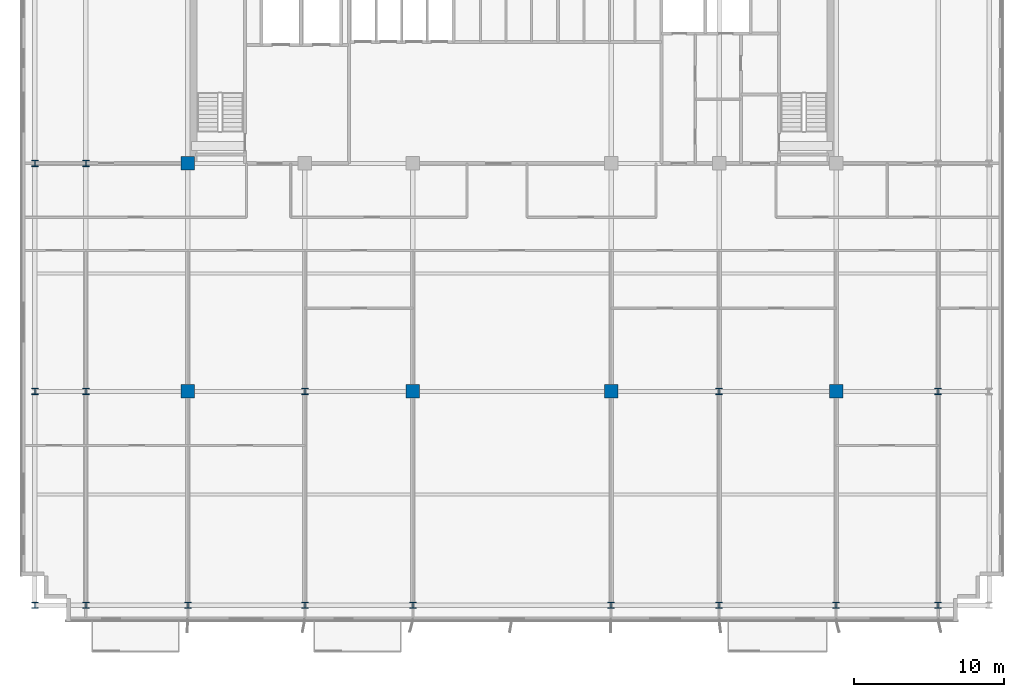
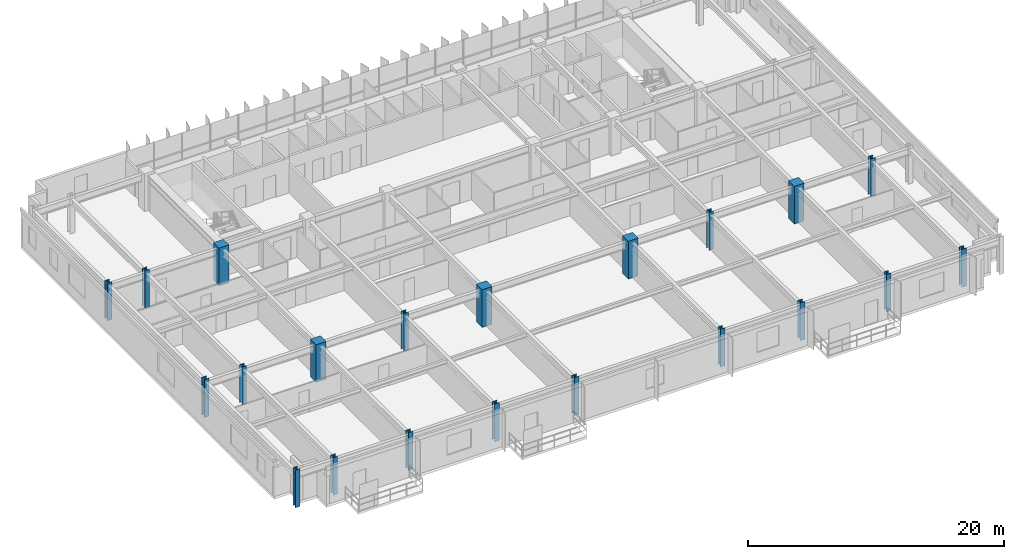
# One storey, part 1 of 21: 21 columns.
"""IFC4 building model written with IfcOpenShell, lengths in metres."""

from ifc_helpers import new_model, si_unit, direction, frame, origin, origin_2d, place, context, subcontext, project, spatial, rectangle, i_section, extrude, source, transform, mapped, material, material_profile, profile_set, type_object, element, save


model = new_model("IFC4")

# Units and contexts
model_context = context("Model", 3, precision=1e-05, world=origin(), true_north=direction((0.0, 1.0)))
body_context = subcontext(model_context, "Body", "Model", "MODEL_VIEW")
ifc_project = project(units=[si_unit("LENGTHUNIT", "METRE"), si_unit("AREAUNIT", "SQUARE_METRE"), si_unit("VOLUMEUNIT", "CUBIC_METRE"), si_unit("PLANEANGLEUNIT", "RADIAN"), si_unit("MASSUNIT", "GRAM", prefix="KILO")], contexts=[model_context])

# Site, building, storey
site_placement = place(None, origin())
site = spatial("IfcSite", under=ifc_project, at=site_placement, CompositionType="ELEMENT")
building_placement = place(site_placement, origin())
building = spatial("IfcBuilding", under=site, at=building_placement, Name="Trelvane Seafront Commons", CompositionType="ELEMENT")
storey_placement = place(building_placement, frame((0.0, 0.0, 41.5)))
storey = spatial("IfcBuildingStorey", under=building, at=storey_placement, Name="L10", CompositionType="ELEMENT", Elevation=41.5)

# Columns
ifc_material_1 = material(Name="Steel SM355 (S355)", Category="steel")
ifc_material_profile_1 = material_profile(ifc_material_1, i_section(OverallWidth=0.419921875, OverallDepth=0.419921875, WebThickness=0.02587890625, FlangeThickness=0.0400390625, at=origin_2d()), Name="HD-420x420x26x40")
ifc_profile_set_1 = profile_set([ifc_material_profile_1], Name="Steel SM355 (S355)")
column_type_1 = type_object("IfcColumnType", Name="STR-COL-HD420", PredefinedType="COLUMN", material=ifc_profile_set_1)
shared_shape_1 = source(origin(), body_context, "Body", "SweptSolid", [
    extrude(i_section(OverallWidth=0.419921875, OverallDepth=0.419921875, WebThickness=0.02587890625, FlangeThickness=0.0400390625, at=origin_2d()), origin(), (0.0, 0.0, 1.0), 3.60009765625),
])
for number, where, z_axis, x_axis, name in (
    (1, (5.39990234375, 3.949951171875, 0.0), (0.0, 0.0, 1.0), (1.0, 0.0, 0.0), "L10 Column TC-S5.4"),
    (2, (5.39990234375, 18.199951171875, 0.0), (0.0, 0.0, 1.0), (1.0, 0.0, 0.0), "L10 Column TC-M5.4"),
    (3, (5.39990234375, 33.39990234375, 0.0), (0.0, 0.0, 1.0), (1.0, 0.0, 0.0), "L10 Column TC-CS5.4"),
    (4, (8.800048828125, 3.949951171875, 0.0), (0.0, 0.0, 1.0), (1.0, 0.0, 0.0), "L10 Column TC-S8.8"),
    (5, (8.800048828125, 18.199951171875, 0.0), (0.0, 0.0, 1.0), (1.0, 0.0, 0.0), "L10 Column TC-M8.8"),
    (6, (8.800048828125, 33.39990234375, 0.0), (0.0, 0.0, 1.0), (1.0, 0.0, 0.0), "L10 Column TC-CS8.8"),
    (7, (15.60009765625, 3.949951171875, 0.0), (0.0, 0.0, 1.0), (1.0, 0.0, 0.0), "L10 Column TC-S15.6"),
    (8, (23.39990234375, 3.949951171875, 0.0), (0.0, 0.0, 1.0), (1.0, 0.0, 0.0), "L10 Column TC-S23.4"),
    (9, (23.39990234375, 18.199951171875, 0.0), (0.0, 0.0, 1.0), (1.0, 0.0, 0.0), "L10 Column TC-M23.4"),
    (10, (30.60009765625, 3.949951171875, 0.0), (0.0, 0.0, 1.0), (1.0, 0.0, 0.0), "L10 Column TC-S30.6"),
    (11, (43.800048828125, 3.949951171875, 0.0), (0.0, 0.0, 1.0), (1.0, 0.0, 0.0), "L10 Column TC-S43.8"),
    (12, (51.0, 3.949951171875, 0.0), (0.0, 0.0, 1.0), (1.0, 0.0, 0.0), "L10 Column TC-S51.0"),
    (13, (51.0, 18.199951171875, 0.0), (0.0, 0.0, 1.0), (1.0, 0.0, 0.0), "L10 Column TC-M51.0"),
    (14, (58.800048828125, 3.949951171875, 0.0), (0.0, 0.0, 1.0), (1.0, 0.0, 0.0), "L10 Column TC-S58.8"),
    (15, (65.60009765625, 3.949951171875, 0.0), (0.0, 0.0, 1.0), (1.0, 0.0, 0.0), "L10 Column TC-S65.6"),
    (16, (65.60009765625, 18.199951171875, 0.0), (0.0, 0.0, 1.0), (1.0, 0.0, 0.0), "L10 Column TC-M65.6"),
):
    element("IfcColumn", number, at=place(storey_placement, frame(where, z_axis=z_axis, x_axis=x_axis)), inside=storey, type_object=column_type_1, Name=name, PredefinedType="COLUMN", context=body_context, shape_type="MappedRepresentation", body=[
        mapped(shared_shape_1, transform((0.0, 0.0, 0.0), x_axis=(1.0, 0.0, 0.0), y_axis=(0.0, 1.0, 0.0), z_axis=(0.0, 0.0, 1.0), scale=1.0)),
    ])
ifc_material_2 = material(Name="Concrete C60/75", Category="concrete")
ifc_material_profile_2 = material_profile(ifc_material_2, rectangle(XDim=0.89990234375, YDim=0.89990234375, at=origin_2d()), Name="RC-900x900")
ifc_profile_set_2 = profile_set([ifc_material_profile_2], Name="Concrete C60/75")
column_type_2 = type_object("IfcColumnType", Name="STR-COL-RC900", PredefinedType="COLUMN", material=ifc_profile_set_2)
shared_shape_2 = source(origin(), body_context, "Body", "SweptSolid", [
    extrude(rectangle(XDim=0.89990234375, YDim=0.89990234375, at=origin_2d()), origin(), (0.0, 0.0, 1.0), 3.60009765625),
])
for number, where, z_axis, x_axis, name in (
    (17, (15.60009765625, 18.199951171875, 0.0), (0.0, 0.0, 1.0), (1.0, 0.0, 0.0), "L10 Column TC-M15.6"),
    (18, (15.60009765625, 33.39990234375, 0.0), (0.0, 0.0, 1.0), (1.0, 0.0, 0.0), "L10 Column TC-CS15.6"),
    (19, (30.60009765625, 18.199951171875, 0.0), (0.0, 0.0, 1.0), (1.0, 0.0, 0.0), "L10 Column TC-M30.6"),
    (20, (43.800048828125, 18.199951171875, 0.0), (0.0, 0.0, 1.0), (1.0, 0.0, 0.0), "L10 Column TC-M43.8"),
    (21, (58.800048828125, 18.199951171875, 0.0), (0.0, 0.0, 1.0), (1.0, 0.0, 0.0), "L10 Column TC-M58.8"),
):
    element("IfcColumn", number, at=place(storey_placement, frame(where, z_axis=z_axis, x_axis=x_axis)), inside=storey, type_object=column_type_2, Name=name, PredefinedType="COLUMN", context=body_context, shape_type="MappedRepresentation", body=[
        mapped(shared_shape_2, transform((0.0, 0.0, 0.0), x_axis=(1.0, 0.0, 0.0), y_axis=(0.0, 1.0, 0.0), z_axis=(0.0, 0.0, 1.0), scale=1.0)),
    ])

save(model, "model.ifc")
